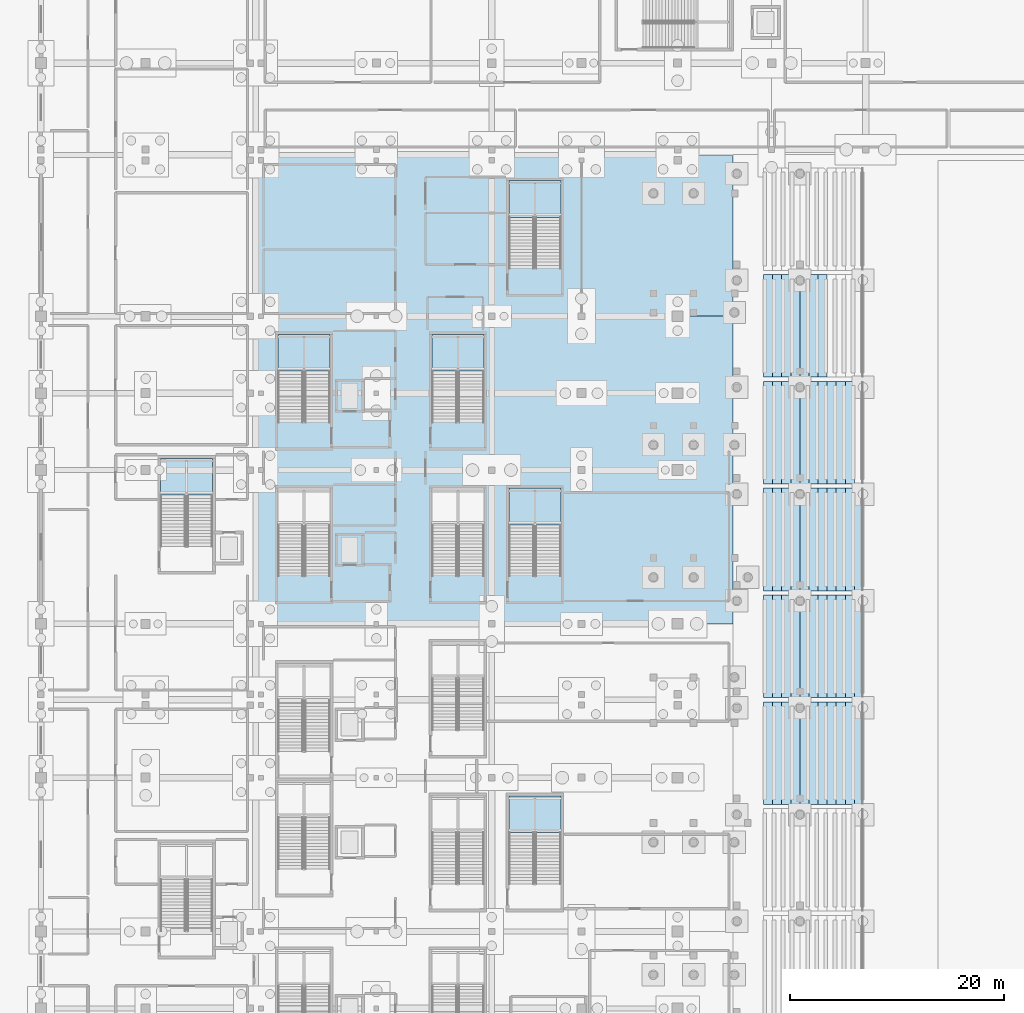
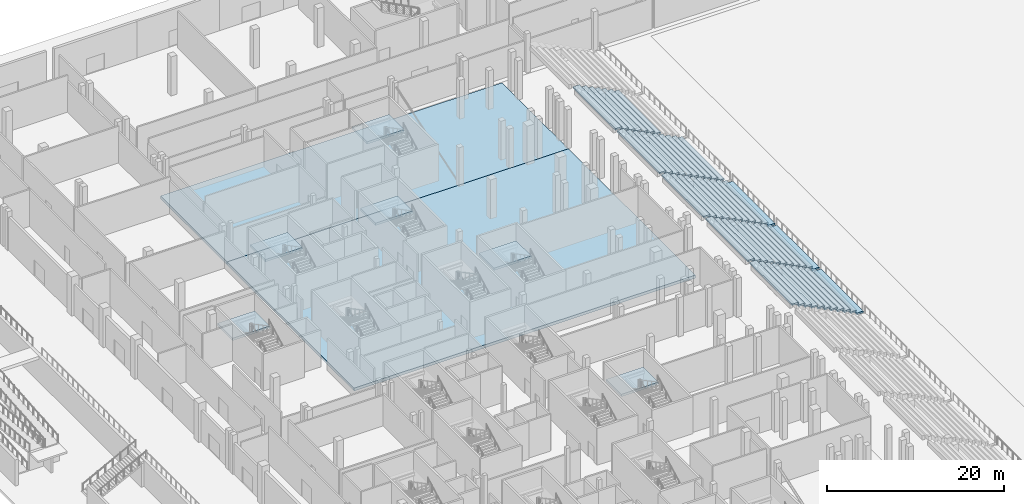
# One storey, part 24 of 89: 58 slabs, 6 elements without a shape of their own.
"""IFC4 building model written with IfcOpenShell, lengths in metres."""

import ifcopenshell
import ifcopenshell.guid

model = None  # the IFC model being written
_history = None  # IfcOwnerHistory: only IFC2X3 demands one
_inside = {}  # id of a spatial element -> (the spatial element, [elements in it])
_under = {}  # id of a project, library or spatial element -> (it, [spatial elements below it])
_declared = {}  # id of a project -> (the project, [libraries it declares])
_typed = {}  # id of a type object -> (the type object, [elements of that type])
_made_of = {}  # id of a material, layer set ... -> (it, [elements and type objects made of it])


def new_model(schema):
    """Start an empty IFC model of exactly this schema.

    Asked for "IFC4X3", IfcOpenShell would pick the latest addendum, in which some entities
    have other attributes; the version numbers below select the first issue.
    IFC2X3 requires an IfcOwnerHistory on every rooted entity: one is made here for all.
    """
    global model, _history
    if schema == "IFC4X3":
        model = ifcopenshell.file(schema_version=(4, 3, 0, 0))
    else:
        model = ifcopenshell.file(schema=schema)
    _inside.clear()
    _under.clear()
    _declared.clear()
    _typed.clear()
    _made_of.clear()
    _history = None
    if model.schema == "IFC2X3":
        org = make("IfcOrganization", Name="unknown")
        user = make(
            "IfcPersonAndOrganization",
            ThePerson=make("IfcPerson", FamilyName="unknown"),
            TheOrganization=org,
        )
        app = make(
            "IfcApplication",
            ApplicationDeveloper=org,
            Version="unknown",
            ApplicationFullName="unknown",
            ApplicationIdentifier="unknown",
        )
        _history = make(
            "IfcOwnerHistory",
            OwningUser=user,
            OwningApplication=app,
            ChangeAction="ADDED",
            CreationDate=0,
        )
    return model


def make(cls, **values):
    """One entity of the class cls with the attributes given. An attribute that is None is left unset."""
    return model.create_entity(
        cls, **{name: value for name, value in values.items() if value is not None}
    )


def rooted(cls, **values):
    """An entity with a GlobalId (a new one), such as an element, a storey or a relation."""
    return make(cls, GlobalId=ifcopenshell.guid.new(), OwnerHistory=_history, **values)


def si_unit(unit_type, name, prefix=None):
    """IfcSIUnit, for example si_unit("LENGTHUNIT", "METRE", prefix="MILLI")."""
    return make("IfcSIUnit", UnitType=unit_type, Prefix=prefix, Name=name)


def assignment(units):
    """IfcUnitAssignment: the units of a project."""
    return None if units is None else make("IfcUnitAssignment", Units=units)


def point(xyz):
    """IfcCartesianPoint."""
    return None if xyz is None else make("IfcCartesianPoint", Coordinates=xyz)


def direction(xyz):
    """IfcDirection."""
    return None if xyz is None else make("IfcDirection", DirectionRatios=xyz)


def frame(location, z_axis=None, x_axis=None):
    """IfcAxis2Placement3D, a coordinate frame: its origin and axes. An axis left out is left unset."""
    return make(
        "IfcAxis2Placement3D",
        Location=point(location),
        Axis=direction(z_axis),
        RefDirection=direction(x_axis),
    )


def origin():
    """The frame at (0, 0, 0) with its axes left unset."""
    return frame((0.0, 0.0, 0.0))


def place(relative_to, where):
    """IfcLocalPlacement: puts the frame where relative to a parent placement (None: the world)."""
    return make(
        "IfcLocalPlacement", PlacementRelTo=relative_to, RelativePlacement=where
    )


def context(
    kind, dimensions, precision=None, world=None, true_north=None, identifier=None
):
    """IfcGeometricRepresentationContext, for example the 3D "Model" context."""
    return make(
        "IfcGeometricRepresentationContext",
        ContextIdentifier=identifier,
        ContextType=kind,
        CoordinateSpaceDimension=dimensions,
        Precision=precision,
        WorldCoordinateSystem=world,
        TrueNorth=true_north,
    )


def subcontext(parent, identifier, kind, view, scale=None):
    """IfcGeometricRepresentationSubContext, for example "Body" below "Model"."""
    return make(
        "IfcGeometricRepresentationSubContext",
        ContextIdentifier=identifier,
        ContextType=kind,
        ParentContext=parent,
        TargetScale=scale,
        TargetView=view,
    )


def project(units=None, contexts=None):
    """IfcProject with its units and contexts."""
    return rooted(
        "IfcProject",
        Name="project",
        RepresentationContexts=contexts,
        UnitsInContext=assignment(units),
    )


def spatial(cls, under=None, at=None, **own):
    """A site, building, storey or space (cls), placed at a placement, below another one or the project."""
    s = rooted(cls, ObjectPlacement=at, **own)
    if under is not None:
        _under.setdefault(under.id(), (under, []))[1].append(s)
    return s


def polyline(points):
    """IfcPolyline through the points."""
    return make("IfcPolyline", Points=[point(p) for p in points])


def outline(outer, holes=None, kind="AREA"):
    """IfcArbitraryClosedProfileDef: a profile drawn as a closed curve; with holes, ...WithVoids."""
    if holes is None:
        return make("IfcArbitraryClosedProfileDef", ProfileType=kind, OuterCurve=outer)
    return make(
        "IfcArbitraryProfileDefWithVoids",
        ProfileType=kind,
        OuterCurve=outer,
        InnerCurves=holes,
    )


def extrude(swept, where, along, depth):
    """IfcExtrudedAreaSolid: the profile swept, set in the frame where, extruded along a direction by depth."""
    return make(
        "IfcExtrudedAreaSolid",
        SweptArea=swept,
        Position=where,
        ExtrudedDirection=direction(along),
        Depth=depth,
    )


def shape(context_of_items, identifier, shape_type, items):
    """IfcShapeRepresentation: the items that make up one representation, for example the "Body"."""
    return make(
        "IfcShapeRepresentation",
        ContextOfItems=context_of_items,
        RepresentationIdentifier=identifier,
        RepresentationType=shape_type,
        Items=items,
    )


def material(Name=None, Category=None):
    """IfcMaterial."""
    return make("IfcMaterial", Name=Name, Category=Category)


def layer(
    of_material, thickness, ventilated=None, Name=None, Category=None, Priority=None
):
    """IfcMaterialLayer: one layer of a wall or slab, of a material (None: an air gap)."""
    return make(
        "IfcMaterialLayer",
        Material=of_material,
        LayerThickness=thickness,
        IsVentilated=ventilated,
        Name=Name,
        Category=Category,
        Priority=Priority,
    )


def layer_set(layers, Name=None):
    """IfcMaterialLayerSet."""
    return make("IfcMaterialLayerSet", MaterialLayers=layers, LayerSetName=Name)


def made_of(thing, what):
    """Note that an element or type object is made of a material, layer set ...; save() writes the relation."""
    if what is not None:
        _made_of.setdefault(what.id(), (what, []))[1].append(thing)
    return thing


def type_object(cls, material=None, **own):
    """A type object (cls), such as IfcWallType, which elements share."""
    return made_of(rooted(cls, **own), material)


def element(
    cls,
    number,
    at=None,
    inside=None,
    cuts=None,
    type_object=None,
    material=None,
    context=None,
    identifier="Body",
    shape_type=None,
    held_by="IfcProductDefinitionShape",
    body=None,
    shapes=None,
    **own,
):
    """One element of the class cls, such as IfcWall. Its Tag is "e" and its number.

    at: its placement. inside: the storey or other place that contains it. cuts: it is an
    opening in that element (IfcRelVoidsElement). A single representation is given by context,
    identifier, shape_type and body (its items); several are given by shapes. held_by: the class
    of the entity that holds the representations. save() writes the other relations.
    """
    e = rooted(cls, Tag="e%d" % number, ObjectPlacement=at, **own)
    if body is not None:
        shapes = [shape(context, identifier, shape_type, body)]
    if shapes is not None:
        e.Representation = make(held_by, Representations=shapes)
    if inside is not None:
        _inside.setdefault(inside.id(), (inside, []))[1].append(e)
    if cuts is not None:
        rooted(
            "IfcRelVoidsElement", RelatingBuildingElement=cuts, RelatedOpeningElement=e
        )
    if type_object is not None:
        _typed.setdefault(type_object.id(), (type_object, []))[1].append(e)
    return made_of(e, material)


def aggregate(whole, parts):
    """IfcRelAggregates: a whole, such as a stair, and the parts it consists of."""
    return rooted("IfcRelAggregates", RelatingObject=whole, RelatedObjects=parts)


def save(model, path):
    """Write the relations noted so far, then the file.

    IfcRelAggregates (storeys below a building ...), IfcRelContainedInSpatialStructure (elements
    in a storey), IfcRelDefinesByType, IfcRelAssociatesMaterial and IfcRelDeclares: one each for
    every whole, place, type object, material and project.
    """
    for whole, parts in _under.values():
        aggregate(whole, parts)
    for where, things in _inside.values():
        rooted(
            "IfcRelContainedInSpatialStructure",
            RelatedElements=things,
            RelatingStructure=where,
        )
    for kind, things in _typed.values():
        rooted("IfcRelDefinesByType", RelatedObjects=things, RelatingType=kind)
    for what, things in _made_of.values():
        rooted("IfcRelAssociatesMaterial", RelatedObjects=things, RelatingMaterial=what)
    for by, libraries in _declared.values():
        rooted("IfcRelDeclares", RelatingContext=by, RelatedDefinitions=libraries)
    model.write(path)


model = new_model("IFC4")

# Units and contexts
model_context = context("Model", 3, precision=1e-05, world=origin(), true_north=direction((0.0, 1.0)))
body_context = subcontext(model_context, "Body", "Model", "MODEL_VIEW")
ifc_project = project(units=[si_unit("LENGTHUNIT", "METRE"), si_unit("AREAUNIT", "SQUARE_METRE"), si_unit("VOLUMEUNIT", "CUBIC_METRE"), si_unit("PLANEANGLEUNIT", "RADIAN"), si_unit("MASSUNIT", "GRAM", prefix="KILO")], contexts=[model_context])

# Site, building, storey
site_placement = place(None, origin())
site = spatial("IfcSite", under=ifc_project, at=site_placement, CompositionType="ELEMENT")
building_placement = place(site_placement, origin())
building = spatial("IfcBuilding", under=site, at=building_placement, Name="Koshinbarg Plaza Stadium", CompositionType="ELEMENT")
storey_placement = place(building_placement, origin())
storey = spatial("IfcBuildingStorey", under=building, at=storey_placement, Name="L00", CompositionType="ELEMENT", Elevation=0.0)

# Slabs
ifc_material_1 = material(Name="Concrete C35/45", Category="concrete")
ifc_layer_1 = layer(ifc_material_1, 0.449951171875)
ifc_layer_set_1 = layer_set([ifc_layer_1], Name="Concrete C35/45")
slab_type_1 = type_object("IfcSlabType", Name="SL-BASE-450", PredefinedType="BASESLAB", material=ifc_layer_set_1)
slab_1_placement = place(storey_placement, frame((0.0, 0.0, -0.39990234375)))
element("IfcSlab", 1, at=slab_1_placement, inside=storey, type_object=slab_type_1, Name="L00 V1 structural slab 3", PredefinedType="BASESLAB", context=body_context, shape_type="SweptSolid", body=[
    extrude(outline(polyline([(24.14501953125, 83.10009765625), (68.800048828125, 83.10009765625), (68.800048828125, 111.89990234375), (24.14501953125, 111.89990234375), (24.14501953125, 83.10009765625)])), origin(), (0.0, 0.0, 1.0), 0.39990234375),
])
slab_2_placement = place(storey_placement, frame((0.0, 0.0, -0.39990234375)))
element("IfcSlab", 2, at=slab_2_placement, inside=storey, type_object=slab_type_1, Name="L00 V1 structural slab 4", PredefinedType="BASESLAB", context=body_context, shape_type="SweptSolid", body=[
    extrude(outline(polyline([(24.14501953125, 111.89990234375), (68.800048828125, 111.89990234375), (68.800048828125, 126.955078125), (24.14501953125, 126.955078125), (24.14501953125, 111.89990234375)])), origin(), (0.0, 0.0, 1.0), 0.39990234375),
])

# Stair, slab
stair_type_1 = type_object("IfcStairType", Name="ST-CORE-54", PredefinedType="HALF_TURN_STAIR", material=ifc_material_1)
stair_1_placement = place(storey_placement, origin())
stair_1 = element("IfcStair", 3, at=stair_1_placement, inside=storey, type_object=stair_type_1, Name="L00 Protected Exit Stair C06", PredefinedType="HALF_TURN_STAIR")
ifc_layer_2 = layer(ifc_material_1, 0.320068359375)
ifc_layer_set_2 = layer_set([ifc_layer_2], Name="Concrete C35/45")
slab_type_2 = type_object("IfcSlabType", Name="SL-STLAND-280", PredefinedType="LANDING", material=ifc_layer_set_2)
slab_3_placement = place(storey_placement, frame((0.0, 0.0, 2.3798828125)))
slab_3 = element("IfcSlab", 4, at=slab_3_placement, type_object=slab_type_2, Name="L00 Protected Exit Stair C06 landing 031", PredefinedType="LANDING", context=body_context, shape_type="SweptSolid", body=[
    extrude(outline(polyline([(31.070068359375, 106.760009765625), (31.070068359375, 110.199951171875), (26.199951171875, 110.199951171875), (26.199951171875, 106.760009765625), (31.070068359375, 106.760009765625)])), origin(), (0.0, 0.0, 1.0), 0.320068359375),
])
aggregate(stair_1, [slab_3])

stair_2_placement = place(storey_placement, origin())
stair_2 = element("IfcStair", 5, at=stair_2_placement, inside=storey, type_object=stair_type_1, Name="L00 Protected Exit Stair C15", PredefinedType="HALF_TURN_STAIR")
slab_4_placement = place(storey_placement, frame((0.0, 0.0, 2.3798828125)))
slab_4 = element("IfcSlab", 6, at=slab_4_placement, type_object=slab_type_2, Name="L00 Protected Exit Stair C15 landing 071", PredefinedType="LANDING", context=body_context, shape_type="SweptSolid", body=[
    extrude(outline(polyline([(20.070068359375, 95.159912109375), (20.070068359375, 98.60009765625), (15.199951171875, 98.60009765625), (15.199951171875, 95.159912109375), (20.070068359375, 95.159912109375)])), origin(), (0.0, 0.0, 1.0), 0.320068359375),
])
aggregate(stair_2, [slab_4])

stair_type_2 = type_object("IfcStairType", Name="ST-VOM-54", PredefinedType="HALF_TURN_STAIR", material=ifc_material_1)
stair_3_placement = place(storey_placement, origin())
stair_3 = element("IfcStair", 7, at=stair_3_placement, inside=storey, type_object=stair_type_2, Name="L00 Upper Vomitory Stair VX06", PredefinedType="HALF_TURN_STAIR")
slab_5_placement = place(storey_placement, frame((0.0, 0.0, 2.3798828125)))
slab_5 = element("IfcSlab", 8, at=slab_5_placement, type_object=slab_type_2, Name="L00 Upper Vomitory Stair VX06 landing 090", PredefinedType="LANDING", context=body_context, shape_type="SweptSolid", body=[
    extrude(outline(polyline([(45.469970703125, 106.760009765625), (45.469970703125, 110.199951171875), (40.60009765625, 110.199951171875), (40.60009765625, 106.760009765625), (45.469970703125, 106.760009765625)])), origin(), (0.0, 0.0, 1.0), 0.320068359375),
])
aggregate(stair_3, [slab_5])

stair_4_placement = place(storey_placement, origin())
stair_4 = element("IfcStair", 9, at=stair_4_placement, inside=storey, type_object=stair_type_2, Name="L00 Lower Vomitory Stair VL02", PredefinedType="HALF_TURN_STAIR")
slab_6_placement = place(storey_placement, frame((0.0, 0.0, 2.3798828125)))
slab_6 = element("IfcSlab", 10, at=slab_6_placement, type_object=slab_type_2, Name="L00 Lower Vomitory Stair VL02 landing 112", PredefinedType="LANDING", context=body_context, shape_type="SweptSolid", body=[
    extrude(outline(polyline([(52.669921875, 63.56005859375), (52.669921875, 67.0), (47.800048828125, 67.0), (47.800048828125, 63.56005859375), (52.669921875, 63.56005859375)])), origin(), (0.0, 0.0, 1.0), 0.320068359375),
])
aggregate(stair_4, [slab_6])

stair_5_placement = place(storey_placement, origin())
stair_5 = element("IfcStair", 11, at=stair_5_placement, inside=storey, type_object=stair_type_2, Name="L00 Lower Vomitory Stair VL03", PredefinedType="HALF_TURN_STAIR")
slab_7_placement = place(storey_placement, frame((0.0, 0.0, 2.3798828125)))
slab_7 = element("IfcSlab", 12, at=slab_7_placement, type_object=slab_type_2, Name="L00 Lower Vomitory Stair VL03 landing 113", PredefinedType="LANDING", context=body_context, shape_type="SweptSolid", body=[
    extrude(outline(polyline([(52.669921875, 92.360107421875), (52.669921875, 95.800048828125), (47.800048828125, 95.800048828125), (47.800048828125, 92.360107421875), (52.669921875, 92.360107421875)])), origin(), (0.0, 0.0, 1.0), 0.320068359375),
])
aggregate(stair_5, [slab_7])

stair_6_placement = place(storey_placement, origin())
stair_6 = element("IfcStair", 13, at=stair_6_placement, inside=storey, type_object=stair_type_2, Name="L00 Lower Vomitory Stair VL04", PredefinedType="HALF_TURN_STAIR")
slab_8_placement = place(storey_placement, frame((0.0, 0.0, 2.3798828125)))
slab_8 = element("IfcSlab", 14, at=slab_8_placement, type_object=slab_type_2, Name="L00 Lower Vomitory Stair VL04 landing 114", PredefinedType="LANDING", context=body_context, shape_type="SweptSolid", body=[
    extrude(outline(polyline([(52.669921875, 121.159912109375), (52.669921875, 124.60009765625), (47.800048828125, 124.60009765625), (47.800048828125, 121.159912109375), (52.669921875, 121.159912109375)])), origin(), (0.0, 0.0, 1.0), 0.320068359375),
])
aggregate(stair_6, [slab_8])

# Slabs
ifc_material_2 = material(Name="Precast concrete C40/50", Category="concrete")
ifc_layer_3 = layer(ifc_material_2, 0.219970703125)
ifc_layer_set_3 = layer_set([ifc_layer_3], Name="Precast concrete C40/50")
slab_type_3 = type_object("IfcSlabType", Name="SL-TIER-LT", PredefinedType="USERDEFINED", material=ifc_layer_set_3)
slab_9_placement = place(storey_placement, frame((0.0, 0.0, 0.800048828125)))
element("IfcSlab", 15, at=slab_9_placement, inside=storey, type_object=slab_type_3, Name="Stand lower seating tier LT-W05 row 1", ObjectType="SEATING TIER", PredefinedType="USERDEFINED", context=body_context, shape_type="SweptSolid", body=[
    extrude(outline(polyline([(80.14990234375, 66.199951171875), (81.0, 66.199951171875), (81.0, 75.800048828125), (80.14990234375, 75.800048828125), (80.14990234375, 66.199951171875)])), origin(), (0.0, 0.0, 1.0), 0.219970703125),
])
slab_10_placement = place(storey_placement, frame((0.0, 0.0, 1.219970703125)))
element("IfcSlab", 16, at=slab_10_placement, inside=storey, type_object=slab_type_3, Name="Stand lower seating tier LT-W05 row 2", ObjectType="SEATING TIER", PredefinedType="USERDEFINED", context=body_context, shape_type="SweptSolid", body=[
    extrude(outline(polyline([(79.300048828125, 66.199951171875), (80.14990234375, 66.199951171875), (80.14990234375, 75.800048828125), (79.300048828125, 75.800048828125), (79.300048828125, 66.199951171875)])), origin(), (0.0, 0.0, 1.0), 0.219970703125),
])
slab_11_placement = place(storey_placement, frame((0.0, 0.0, 1.639892578125)))
element("IfcSlab", 17, at=slab_11_placement, inside=storey, type_object=slab_type_3, Name="Stand lower seating tier LT-W05 row 3", ObjectType="SEATING TIER", PredefinedType="USERDEFINED", context=body_context, shape_type="SweptSolid", body=[
    extrude(outline(polyline([(78.449951171875, 66.199951171875), (79.300048828125, 66.199951171875), (79.300048828125, 75.800048828125), (78.449951171875, 75.800048828125), (78.449951171875, 66.199951171875)])), origin(), (0.0, 0.0, 1.0), 0.22021484375),
])
slab_12_placement = place(storey_placement, frame((0.0, 0.0, 2.06005859375)))
element("IfcSlab", 18, at=slab_12_placement, inside=storey, type_object=slab_type_3, Name="Stand lower seating tier LT-W05 row 4", ObjectType="SEATING TIER", PredefinedType="USERDEFINED", context=body_context, shape_type="SweptSolid", body=[
    extrude(outline(polyline([(77.60009765625, 66.199951171875), (78.449951171875, 66.199951171875), (78.449951171875, 75.800048828125), (77.60009765625, 75.800048828125), (77.60009765625, 66.199951171875)])), origin(), (0.0, 0.0, 1.0), 0.219970703125),
])
slab_13_placement = place(storey_placement, frame((0.0, 0.0, 2.47998046875)))
element("IfcSlab", 19, at=slab_13_placement, inside=storey, type_object=slab_type_3, Name="Stand lower seating tier LT-W05 row 5", ObjectType="SEATING TIER", PredefinedType="USERDEFINED", context=body_context, shape_type="SweptSolid", body=[
    extrude(outline(polyline([(76.75, 66.199951171875), (77.60009765625, 66.199951171875), (77.60009765625, 75.800048828125), (76.75, 75.800048828125), (76.75, 66.199951171875)])), origin(), (0.0, 0.0, 1.0), 0.219970703125),
])
slab_14_placement = place(storey_placement, frame((0.0, 0.0, 2.89990234375)))
element("IfcSlab", 20, at=slab_14_placement, inside=storey, type_object=slab_type_3, Name="Stand lower seating tier LT-W05 row 6", ObjectType="SEATING TIER", PredefinedType="USERDEFINED", context=body_context, shape_type="SweptSolid", body=[
    extrude(outline(polyline([(75.89990234375, 66.199951171875), (76.75, 66.199951171875), (76.75, 75.800048828125), (75.89990234375, 75.800048828125), (75.89990234375, 66.199951171875)])), origin(), (0.0, 0.0, 1.0), 0.22021484375),
])
slab_15_placement = place(storey_placement, frame((0.0, 0.0, 3.320068359375)))
element("IfcSlab", 21, at=slab_15_placement, inside=storey, type_object=slab_type_3, Name="Stand lower seating tier LT-W05 row 7", ObjectType="SEATING TIER", PredefinedType="USERDEFINED", context=body_context, shape_type="SweptSolid", body=[
    extrude(outline(polyline([(75.050048828125, 66.199951171875), (75.89990234375, 66.199951171875), (75.89990234375, 75.800048828125), (75.050048828125, 75.800048828125), (75.050048828125, 66.199951171875)])), origin(), (0.0, 0.0, 1.0), 0.219970703125),
])
slab_16_placement = place(storey_placement, frame((0.0, 0.0, 3.739990234375)))
element("IfcSlab", 22, at=slab_16_placement, inside=storey, type_object=slab_type_3, Name="Stand lower seating tier LT-W05 row 8", ObjectType="SEATING TIER", PredefinedType="USERDEFINED", context=body_context, shape_type="SweptSolid", body=[
    extrude(outline(polyline([(74.199951171875, 66.199951171875), (75.050048828125, 66.199951171875), (75.050048828125, 75.800048828125), (74.199951171875, 75.800048828125), (74.199951171875, 66.199951171875)])), origin(), (0.0, 0.0, 1.0), 0.219970703125),
])
slab_17_placement = place(storey_placement, frame((0.0, 0.0, 4.159912109375)))
element("IfcSlab", 23, at=slab_17_placement, inside=storey, type_object=slab_type_3, Name="Stand lower seating tier LT-W05 row 9", ObjectType="SEATING TIER", PredefinedType="USERDEFINED", context=body_context, shape_type="SweptSolid", body=[
    extrude(outline(polyline([(73.35009765625, 66.199951171875), (74.199951171875, 66.199951171875), (74.199951171875, 75.800048828125), (73.35009765625, 75.800048828125), (73.35009765625, 66.199951171875)])), origin(), (0.0, 0.0, 1.0), 0.219970703125),
])
slab_18_placement = place(storey_placement, frame((0.0, 0.0, 4.580078125)))
element("IfcSlab", 24, at=slab_18_placement, inside=storey, type_object=slab_type_3, Name="Stand lower seating tier LT-W05 row 10", ObjectType="SEATING TIER", PredefinedType="USERDEFINED", context=body_context, shape_type="SweptSolid", body=[
    extrude(outline(polyline([(72.5, 66.199951171875), (73.35009765625, 66.199951171875), (73.35009765625, 75.800048828125), (72.5, 75.800048828125), (72.5, 66.199951171875)])), origin(), (0.0, 0.0, 1.0), 0.219970703125),
])
slab_19_placement = place(storey_placement, frame((0.0, 0.0, 5.0)))
element("IfcSlab", 25, at=slab_19_placement, inside=storey, type_object=slab_type_3, Name="Stand lower seating tier LT-W05 row 11", ObjectType="SEATING TIER", PredefinedType="USERDEFINED", context=body_context, shape_type="SweptSolid", body=[
    extrude(outline(polyline([(71.64990234375, 66.199951171875), (72.5, 66.199951171875), (72.5, 75.800048828125), (71.64990234375, 75.800048828125), (71.64990234375, 66.199951171875)])), origin(), (0.0, 0.0, 1.0), 0.219970703125),
])
slab_20_placement = place(storey_placement, frame((0.0, 0.0, 0.800048828125)))
element("IfcSlab", 26, at=slab_20_placement, inside=storey, type_object=slab_type_3, Name="Stand lower seating tier LT-W06 row 1", ObjectType="SEATING TIER", PredefinedType="USERDEFINED", context=body_context, shape_type="SweptSolid", body=[
    extrude(outline(polyline([(80.14990234375, 76.199951171875), (81.0, 76.199951171875), (81.0, 85.800048828125), (80.14990234375, 85.800048828125), (80.14990234375, 76.199951171875)])), origin(), (0.0, 0.0, 1.0), 0.219970703125),
])
slab_21_placement = place(storey_placement, frame((0.0, 0.0, 1.219970703125)))
element("IfcSlab", 27, at=slab_21_placement, inside=storey, type_object=slab_type_3, Name="Stand lower seating tier LT-W06 row 2", ObjectType="SEATING TIER", PredefinedType="USERDEFINED", context=body_context, shape_type="SweptSolid", body=[
    extrude(outline(polyline([(79.300048828125, 76.199951171875), (80.14990234375, 76.199951171875), (80.14990234375, 85.800048828125), (79.300048828125, 85.800048828125), (79.300048828125, 76.199951171875)])), origin(), (0.0, 0.0, 1.0), 0.219970703125),
])
slab_22_placement = place(storey_placement, frame((0.0, 0.0, 1.639892578125)))
element("IfcSlab", 28, at=slab_22_placement, inside=storey, type_object=slab_type_3, Name="Stand lower seating tier LT-W06 row 3", ObjectType="SEATING TIER", PredefinedType="USERDEFINED", context=body_context, shape_type="SweptSolid", body=[
    extrude(outline(polyline([(78.449951171875, 76.199951171875), (79.300048828125, 76.199951171875), (79.300048828125, 85.800048828125), (78.449951171875, 85.800048828125), (78.449951171875, 76.199951171875)])), origin(), (0.0, 0.0, 1.0), 0.22021484375),
])
slab_23_placement = place(storey_placement, frame((0.0, 0.0, 2.06005859375)))
element("IfcSlab", 29, at=slab_23_placement, inside=storey, type_object=slab_type_3, Name="Stand lower seating tier LT-W06 row 4", ObjectType="SEATING TIER", PredefinedType="USERDEFINED", context=body_context, shape_type="SweptSolid", body=[
    extrude(outline(polyline([(77.60009765625, 76.199951171875), (78.449951171875, 76.199951171875), (78.449951171875, 85.800048828125), (77.60009765625, 85.800048828125), (77.60009765625, 76.199951171875)])), origin(), (0.0, 0.0, 1.0), 0.219970703125),
])
slab_24_placement = place(storey_placement, frame((0.0, 0.0, 2.47998046875)))
element("IfcSlab", 30, at=slab_24_placement, inside=storey, type_object=slab_type_3, Name="Stand lower seating tier LT-W06 row 5", ObjectType="SEATING TIER", PredefinedType="USERDEFINED", context=body_context, shape_type="SweptSolid", body=[
    extrude(outline(polyline([(76.75, 76.199951171875), (77.60009765625, 76.199951171875), (77.60009765625, 85.800048828125), (76.75, 85.800048828125), (76.75, 76.199951171875)])), origin(), (0.0, 0.0, 1.0), 0.219970703125),
])
slab_25_placement = place(storey_placement, frame((0.0, 0.0, 2.89990234375)))
element("IfcSlab", 31, at=slab_25_placement, inside=storey, type_object=slab_type_3, Name="Stand lower seating tier LT-W06 row 6", ObjectType="SEATING TIER", PredefinedType="USERDEFINED", context=body_context, shape_type="SweptSolid", body=[
    extrude(outline(polyline([(75.89990234375, 76.199951171875), (76.75, 76.199951171875), (76.75, 85.800048828125), (75.89990234375, 85.800048828125), (75.89990234375, 76.199951171875)])), origin(), (0.0, 0.0, 1.0), 0.22021484375),
])
slab_26_placement = place(storey_placement, frame((0.0, 0.0, 3.320068359375)))
element("IfcSlab", 32, at=slab_26_placement, inside=storey, type_object=slab_type_3, Name="Stand lower seating tier LT-W06 row 7", ObjectType="SEATING TIER", PredefinedType="USERDEFINED", context=body_context, shape_type="SweptSolid", body=[
    extrude(outline(polyline([(75.050048828125, 76.199951171875), (75.89990234375, 76.199951171875), (75.89990234375, 85.800048828125), (75.050048828125, 85.800048828125), (75.050048828125, 76.199951171875)])), origin(), (0.0, 0.0, 1.0), 0.219970703125),
])
slab_27_placement = place(storey_placement, frame((0.0, 0.0, 3.739990234375)))
element("IfcSlab", 33, at=slab_27_placement, inside=storey, type_object=slab_type_3, Name="Stand lower seating tier LT-W06 row 8", ObjectType="SEATING TIER", PredefinedType="USERDEFINED", context=body_context, shape_type="SweptSolid", body=[
    extrude(outline(polyline([(74.199951171875, 76.199951171875), (75.050048828125, 76.199951171875), (75.050048828125, 85.800048828125), (74.199951171875, 85.800048828125), (74.199951171875, 76.199951171875)])), origin(), (0.0, 0.0, 1.0), 0.219970703125),
])
slab_28_placement = place(storey_placement, frame((0.0, 0.0, 4.159912109375)))
element("IfcSlab", 34, at=slab_28_placement, inside=storey, type_object=slab_type_3, Name="Stand lower seating tier LT-W06 row 9", ObjectType="SEATING TIER", PredefinedType="USERDEFINED", context=body_context, shape_type="SweptSolid", body=[
    extrude(outline(polyline([(73.35009765625, 76.199951171875), (74.199951171875, 76.199951171875), (74.199951171875, 85.800048828125), (73.35009765625, 85.800048828125), (73.35009765625, 76.199951171875)])), origin(), (0.0, 0.0, 1.0), 0.219970703125),
])
slab_29_placement = place(storey_placement, frame((0.0, 0.0, 4.580078125)))
element("IfcSlab", 35, at=slab_29_placement, inside=storey, type_object=slab_type_3, Name="Stand lower seating tier LT-W06 row 10", ObjectType="SEATING TIER", PredefinedType="USERDEFINED", context=body_context, shape_type="SweptSolid", body=[
    extrude(outline(polyline([(72.5, 76.199951171875), (73.35009765625, 76.199951171875), (73.35009765625, 85.800048828125), (72.5, 85.800048828125), (72.5, 76.199951171875)])), origin(), (0.0, 0.0, 1.0), 0.219970703125),
])
slab_30_placement = place(storey_placement, frame((0.0, 0.0, 5.0)))
element("IfcSlab", 36, at=slab_30_placement, inside=storey, type_object=slab_type_3, Name="Stand lower seating tier LT-W06 row 11", ObjectType="SEATING TIER", PredefinedType="USERDEFINED", context=body_context, shape_type="SweptSolid", body=[
    extrude(outline(polyline([(71.64990234375, 76.199951171875), (72.5, 76.199951171875), (72.5, 85.800048828125), (71.64990234375, 85.800048828125), (71.64990234375, 76.199951171875)])), origin(), (0.0, 0.0, 1.0), 0.219970703125),
])
slab_31_placement = place(storey_placement, frame((0.0, 0.0, 0.800048828125)))
element("IfcSlab", 37, at=slab_31_placement, inside=storey, type_object=slab_type_3, Name="Stand lower seating tier LT-W07 row 1", ObjectType="SEATING TIER", PredefinedType="USERDEFINED", context=body_context, shape_type="SweptSolid", body=[
    extrude(outline(polyline([(80.14990234375, 86.199951171875), (81.0, 86.199951171875), (81.0, 95.800048828125), (80.14990234375, 95.800048828125), (80.14990234375, 86.199951171875)])), origin(), (0.0, 0.0, 1.0), 0.219970703125),
])
slab_32_placement = place(storey_placement, frame((0.0, 0.0, 1.219970703125)))
element("IfcSlab", 38, at=slab_32_placement, inside=storey, type_object=slab_type_3, Name="Stand lower seating tier LT-W07 row 2", ObjectType="SEATING TIER", PredefinedType="USERDEFINED", context=body_context, shape_type="SweptSolid", body=[
    extrude(outline(polyline([(79.300048828125, 86.199951171875), (80.14990234375, 86.199951171875), (80.14990234375, 95.800048828125), (79.300048828125, 95.800048828125), (79.300048828125, 86.199951171875)])), origin(), (0.0, 0.0, 1.0), 0.219970703125),
])
slab_33_placement = place(storey_placement, frame((0.0, 0.0, 1.639892578125)))
element("IfcSlab", 39, at=slab_33_placement, inside=storey, type_object=slab_type_3, Name="Stand lower seating tier LT-W07 row 3", ObjectType="SEATING TIER", PredefinedType="USERDEFINED", context=body_context, shape_type="SweptSolid", body=[
    extrude(outline(polyline([(78.449951171875, 86.199951171875), (79.300048828125, 86.199951171875), (79.300048828125, 95.800048828125), (78.449951171875, 95.800048828125), (78.449951171875, 86.199951171875)])), origin(), (0.0, 0.0, 1.0), 0.22021484375),
])
slab_34_placement = place(storey_placement, frame((0.0, 0.0, 2.06005859375)))
element("IfcSlab", 40, at=slab_34_placement, inside=storey, type_object=slab_type_3, Name="Stand lower seating tier LT-W07 row 4", ObjectType="SEATING TIER", PredefinedType="USERDEFINED", context=body_context, shape_type="SweptSolid", body=[
    extrude(outline(polyline([(77.60009765625, 86.199951171875), (78.449951171875, 86.199951171875), (78.449951171875, 95.800048828125), (77.60009765625, 95.800048828125), (77.60009765625, 86.199951171875)])), origin(), (0.0, 0.0, 1.0), 0.219970703125),
])
slab_35_placement = place(storey_placement, frame((0.0, 0.0, 2.47998046875)))
element("IfcSlab", 41, at=slab_35_placement, inside=storey, type_object=slab_type_3, Name="Stand lower seating tier LT-W07 row 5", ObjectType="SEATING TIER", PredefinedType="USERDEFINED", context=body_context, shape_type="SweptSolid", body=[
    extrude(outline(polyline([(76.75, 86.199951171875), (77.60009765625, 86.199951171875), (77.60009765625, 95.800048828125), (76.75, 95.800048828125), (76.75, 86.199951171875)])), origin(), (0.0, 0.0, 1.0), 0.219970703125),
])
slab_36_placement = place(storey_placement, frame((0.0, 0.0, 2.89990234375)))
element("IfcSlab", 42, at=slab_36_placement, inside=storey, type_object=slab_type_3, Name="Stand lower seating tier LT-W07 row 6", ObjectType="SEATING TIER", PredefinedType="USERDEFINED", context=body_context, shape_type="SweptSolid", body=[
    extrude(outline(polyline([(75.89990234375, 86.199951171875), (76.75, 86.199951171875), (76.75, 95.800048828125), (75.89990234375, 95.800048828125), (75.89990234375, 86.199951171875)])), origin(), (0.0, 0.0, 1.0), 0.22021484375),
])
slab_37_placement = place(storey_placement, frame((0.0, 0.0, 3.320068359375)))
element("IfcSlab", 43, at=slab_37_placement, inside=storey, type_object=slab_type_3, Name="Stand lower seating tier LT-W07 row 7", ObjectType="SEATING TIER", PredefinedType="USERDEFINED", context=body_context, shape_type="SweptSolid", body=[
    extrude(outline(polyline([(75.050048828125, 86.199951171875), (75.89990234375, 86.199951171875), (75.89990234375, 95.800048828125), (75.050048828125, 95.800048828125), (75.050048828125, 86.199951171875)])), origin(), (0.0, 0.0, 1.0), 0.219970703125),
])
slab_38_placement = place(storey_placement, frame((0.0, 0.0, 3.739990234375)))
element("IfcSlab", 44, at=slab_38_placement, inside=storey, type_object=slab_type_3, Name="Stand lower seating tier LT-W07 row 8", ObjectType="SEATING TIER", PredefinedType="USERDEFINED", context=body_context, shape_type="SweptSolid", body=[
    extrude(outline(polyline([(74.199951171875, 86.199951171875), (75.050048828125, 86.199951171875), (75.050048828125, 95.800048828125), (74.199951171875, 95.800048828125), (74.199951171875, 86.199951171875)])), origin(), (0.0, 0.0, 1.0), 0.219970703125),
])
slab_39_placement = place(storey_placement, frame((0.0, 0.0, 4.159912109375)))
element("IfcSlab", 45, at=slab_39_placement, inside=storey, type_object=slab_type_3, Name="Stand lower seating tier LT-W07 row 9", ObjectType="SEATING TIER", PredefinedType="USERDEFINED", context=body_context, shape_type="SweptSolid", body=[
    extrude(outline(polyline([(73.35009765625, 86.199951171875), (74.199951171875, 86.199951171875), (74.199951171875, 95.800048828125), (73.35009765625, 95.800048828125), (73.35009765625, 86.199951171875)])), origin(), (0.0, 0.0, 1.0), 0.219970703125),
])
slab_40_placement = place(storey_placement, frame((0.0, 0.0, 4.580078125)))
element("IfcSlab", 46, at=slab_40_placement, inside=storey, type_object=slab_type_3, Name="Stand lower seating tier LT-W07 row 10", ObjectType="SEATING TIER", PredefinedType="USERDEFINED", context=body_context, shape_type="SweptSolid", body=[
    extrude(outline(polyline([(72.5, 86.199951171875), (73.35009765625, 86.199951171875), (73.35009765625, 95.800048828125), (72.5, 95.800048828125), (72.5, 86.199951171875)])), origin(), (0.0, 0.0, 1.0), 0.219970703125),
])
slab_41_placement = place(storey_placement, frame((0.0, 0.0, 5.0)))
element("IfcSlab", 47, at=slab_41_placement, inside=storey, type_object=slab_type_3, Name="Stand lower seating tier LT-W07 row 11", ObjectType="SEATING TIER", PredefinedType="USERDEFINED", context=body_context, shape_type="SweptSolid", body=[
    extrude(outline(polyline([(71.64990234375, 86.199951171875), (72.5, 86.199951171875), (72.5, 95.800048828125), (71.64990234375, 95.800048828125), (71.64990234375, 86.199951171875)])), origin(), (0.0, 0.0, 1.0), 0.219970703125),
])
slab_42_placement = place(storey_placement, frame((0.0, 0.0, 1.219970703125)))
element("IfcSlab", 48, at=slab_42_placement, inside=storey, type_object=slab_type_3, Name="Stand lower seating tier LT-W08 row 2", ObjectType="SEATING TIER", PredefinedType="USERDEFINED", context=body_context, shape_type="SweptSolid", body=[
    extrude(outline(polyline([(79.300048828125, 96.199951171875), (80.14990234375, 96.199951171875), (80.14990234375, 105.800048828125), (79.300048828125, 105.800048828125), (79.300048828125, 96.199951171875)])), origin(), (0.0, 0.0, 1.0), 0.219970703125),
])
slab_43_placement = place(storey_placement, frame((0.0, 0.0, 1.639892578125)))
element("IfcSlab", 49, at=slab_43_placement, inside=storey, type_object=slab_type_3, Name="Stand lower seating tier LT-W08 row 3", ObjectType="SEATING TIER", PredefinedType="USERDEFINED", context=body_context, shape_type="SweptSolid", body=[
    extrude(outline(polyline([(78.449951171875, 96.199951171875), (79.300048828125, 96.199951171875), (79.300048828125, 105.800048828125), (78.449951171875, 105.800048828125), (78.449951171875, 96.199951171875)])), origin(), (0.0, 0.0, 1.0), 0.22021484375),
])
slab_44_placement = place(storey_placement, frame((0.0, 0.0, 2.06005859375)))
element("IfcSlab", 50, at=slab_44_placement, inside=storey, type_object=slab_type_3, Name="Stand lower seating tier LT-W08 row 4", ObjectType="SEATING TIER", PredefinedType="USERDEFINED", context=body_context, shape_type="SweptSolid", body=[
    extrude(outline(polyline([(77.60009765625, 96.199951171875), (78.449951171875, 96.199951171875), (78.449951171875, 105.800048828125), (77.60009765625, 105.800048828125), (77.60009765625, 96.199951171875)])), origin(), (0.0, 0.0, 1.0), 0.219970703125),
])
slab_45_placement = place(storey_placement, frame((0.0, 0.0, 2.47998046875)))
element("IfcSlab", 51, at=slab_45_placement, inside=storey, type_object=slab_type_3, Name="Stand lower seating tier LT-W08 row 5", ObjectType="SEATING TIER", PredefinedType="USERDEFINED", context=body_context, shape_type="SweptSolid", body=[
    extrude(outline(polyline([(76.75, 96.199951171875), (77.60009765625, 96.199951171875), (77.60009765625, 105.800048828125), (76.75, 105.800048828125), (76.75, 96.199951171875)])), origin(), (0.0, 0.0, 1.0), 0.219970703125),
])
slab_46_placement = place(storey_placement, frame((0.0, 0.0, 2.89990234375)))
element("IfcSlab", 52, at=slab_46_placement, inside=storey, type_object=slab_type_3, Name="Stand lower seating tier LT-W08 row 6", ObjectType="SEATING TIER", PredefinedType="USERDEFINED", context=body_context, shape_type="SweptSolid", body=[
    extrude(outline(polyline([(75.89990234375, 96.199951171875), (76.75, 96.199951171875), (76.75, 105.800048828125), (75.89990234375, 105.800048828125), (75.89990234375, 96.199951171875)])), origin(), (0.0, 0.0, 1.0), 0.22021484375),
])
slab_47_placement = place(storey_placement, frame((0.0, 0.0, 3.320068359375)))
element("IfcSlab", 53, at=slab_47_placement, inside=storey, type_object=slab_type_3, Name="Stand lower seating tier LT-W08 row 7", ObjectType="SEATING TIER", PredefinedType="USERDEFINED", context=body_context, shape_type="SweptSolid", body=[
    extrude(outline(polyline([(75.050048828125, 96.199951171875), (75.89990234375, 96.199951171875), (75.89990234375, 105.800048828125), (75.050048828125, 105.800048828125), (75.050048828125, 96.199951171875)])), origin(), (0.0, 0.0, 1.0), 0.219970703125),
])
slab_48_placement = place(storey_placement, frame((0.0, 0.0, 3.739990234375)))
element("IfcSlab", 54, at=slab_48_placement, inside=storey, type_object=slab_type_3, Name="Stand lower seating tier LT-W08 row 8", ObjectType="SEATING TIER", PredefinedType="USERDEFINED", context=body_context, shape_type="SweptSolid", body=[
    extrude(outline(polyline([(74.199951171875, 96.199951171875), (75.050048828125, 96.199951171875), (75.050048828125, 105.800048828125), (74.199951171875, 105.800048828125), (74.199951171875, 96.199951171875)])), origin(), (0.0, 0.0, 1.0), 0.219970703125),
])
slab_49_placement = place(storey_placement, frame((0.0, 0.0, 4.159912109375)))
element("IfcSlab", 55, at=slab_49_placement, inside=storey, type_object=slab_type_3, Name="Stand lower seating tier LT-W08 row 9", ObjectType="SEATING TIER", PredefinedType="USERDEFINED", context=body_context, shape_type="SweptSolid", body=[
    extrude(outline(polyline([(73.35009765625, 96.199951171875), (74.199951171875, 96.199951171875), (74.199951171875, 105.800048828125), (73.35009765625, 105.800048828125), (73.35009765625, 96.199951171875)])), origin(), (0.0, 0.0, 1.0), 0.219970703125),
])
slab_50_placement = place(storey_placement, frame((0.0, 0.0, 4.580078125)))
element("IfcSlab", 56, at=slab_50_placement, inside=storey, type_object=slab_type_3, Name="Stand lower seating tier LT-W08 row 10", ObjectType="SEATING TIER", PredefinedType="USERDEFINED", context=body_context, shape_type="SweptSolid", body=[
    extrude(outline(polyline([(72.5, 96.199951171875), (73.35009765625, 96.199951171875), (73.35009765625, 105.800048828125), (72.5, 105.800048828125), (72.5, 96.199951171875)])), origin(), (0.0, 0.0, 1.0), 0.219970703125),
])
slab_51_placement = place(storey_placement, frame((0.0, 0.0, 5.0)))
element("IfcSlab", 57, at=slab_51_placement, inside=storey, type_object=slab_type_3, Name="Stand lower seating tier LT-W08 row 11", ObjectType="SEATING TIER", PredefinedType="USERDEFINED", context=body_context, shape_type="SweptSolid", body=[
    extrude(outline(polyline([(71.64990234375, 96.199951171875), (72.5, 96.199951171875), (72.5, 105.800048828125), (71.64990234375, 105.800048828125), (71.64990234375, 96.199951171875)])), origin(), (0.0, 0.0, 1.0), 0.219970703125),
])
slab_52_placement = place(storey_placement, frame((0.0, 0.0, 2.47998046875)))
element("IfcSlab", 58, at=slab_52_placement, inside=storey, type_object=slab_type_3, Name="Stand lower seating tier LT-W09 row 5", ObjectType="SEATING TIER", PredefinedType="USERDEFINED", context=body_context, shape_type="SweptSolid", body=[
    extrude(outline(polyline([(76.75, 106.199951171875), (77.60009765625, 106.199951171875), (77.60009765625, 115.800048828125), (76.75, 115.800048828125), (76.75, 106.199951171875)])), origin(), (0.0, 0.0, 1.0), 0.219970703125),
])
slab_53_placement = place(storey_placement, frame((0.0, 0.0, 2.89990234375)))
element("IfcSlab", 59, at=slab_53_placement, inside=storey, type_object=slab_type_3, Name="Stand lower seating tier LT-W09 row 6", ObjectType="SEATING TIER", PredefinedType="USERDEFINED", context=body_context, shape_type="SweptSolid", body=[
    extrude(outline(polyline([(75.89990234375, 106.199951171875), (76.75, 106.199951171875), (76.75, 115.800048828125), (75.89990234375, 115.800048828125), (75.89990234375, 106.199951171875)])), origin(), (0.0, 0.0, 1.0), 0.22021484375),
])
slab_54_placement = place(storey_placement, frame((0.0, 0.0, 3.320068359375)))
element("IfcSlab", 60, at=slab_54_placement, inside=storey, type_object=slab_type_3, Name="Stand lower seating tier LT-W09 row 7", ObjectType="SEATING TIER", PredefinedType="USERDEFINED", context=body_context, shape_type="SweptSolid", body=[
    extrude(outline(polyline([(75.050048828125, 106.199951171875), (75.89990234375, 106.199951171875), (75.89990234375, 115.800048828125), (75.050048828125, 115.800048828125), (75.050048828125, 106.199951171875)])), origin(), (0.0, 0.0, 1.0), 0.219970703125),
])
slab_55_placement = place(storey_placement, frame((0.0, 0.0, 3.739990234375)))
element("IfcSlab", 61, at=slab_55_placement, inside=storey, type_object=slab_type_3, Name="Stand lower seating tier LT-W09 row 8", ObjectType="SEATING TIER", PredefinedType="USERDEFINED", context=body_context, shape_type="SweptSolid", body=[
    extrude(outline(polyline([(74.199951171875, 106.199951171875), (75.050048828125, 106.199951171875), (75.050048828125, 115.800048828125), (74.199951171875, 115.800048828125), (74.199951171875, 106.199951171875)])), origin(), (0.0, 0.0, 1.0), 0.219970703125),
])
slab_56_placement = place(storey_placement, frame((0.0, 0.0, 4.159912109375)))
element("IfcSlab", 62, at=slab_56_placement, inside=storey, type_object=slab_type_3, Name="Stand lower seating tier LT-W09 row 9", ObjectType="SEATING TIER", PredefinedType="USERDEFINED", context=body_context, shape_type="SweptSolid", body=[
    extrude(outline(polyline([(73.35009765625, 106.199951171875), (74.199951171875, 106.199951171875), (74.199951171875, 115.800048828125), (73.35009765625, 115.800048828125), (73.35009765625, 106.199951171875)])), origin(), (0.0, 0.0, 1.0), 0.219970703125),
])
slab_57_placement = place(storey_placement, frame((0.0, 0.0, 4.580078125)))
element("IfcSlab", 63, at=slab_57_placement, inside=storey, type_object=slab_type_3, Name="Stand lower seating tier LT-W09 row 10", ObjectType="SEATING TIER", PredefinedType="USERDEFINED", context=body_context, shape_type="SweptSolid", body=[
    extrude(outline(polyline([(72.5, 106.199951171875), (73.35009765625, 106.199951171875), (73.35009765625, 115.800048828125), (72.5, 115.800048828125), (72.5, 106.199951171875)])), origin(), (0.0, 0.0, 1.0), 0.219970703125),
])
slab_58_placement = place(storey_placement, frame((0.0, 0.0, 5.0)))
element("IfcSlab", 64, at=slab_58_placement, inside=storey, type_object=slab_type_3, Name="Stand lower seating tier LT-W09 row 11", ObjectType="SEATING TIER", PredefinedType="USERDEFINED", context=body_context, shape_type="SweptSolid", body=[
    extrude(outline(polyline([(71.64990234375, 106.199951171875), (72.5, 106.199951171875), (72.5, 115.800048828125), (71.64990234375, 115.800048828125), (71.64990234375, 106.199951171875)])), origin(), (0.0, 0.0, 1.0), 0.219970703125),
])

save(model, "model.ifc")
